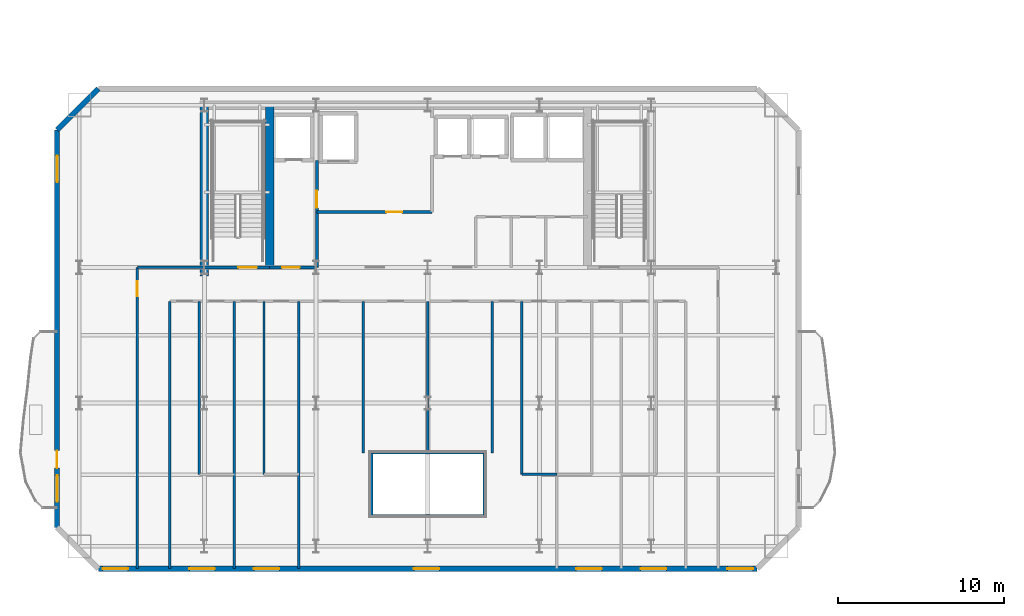
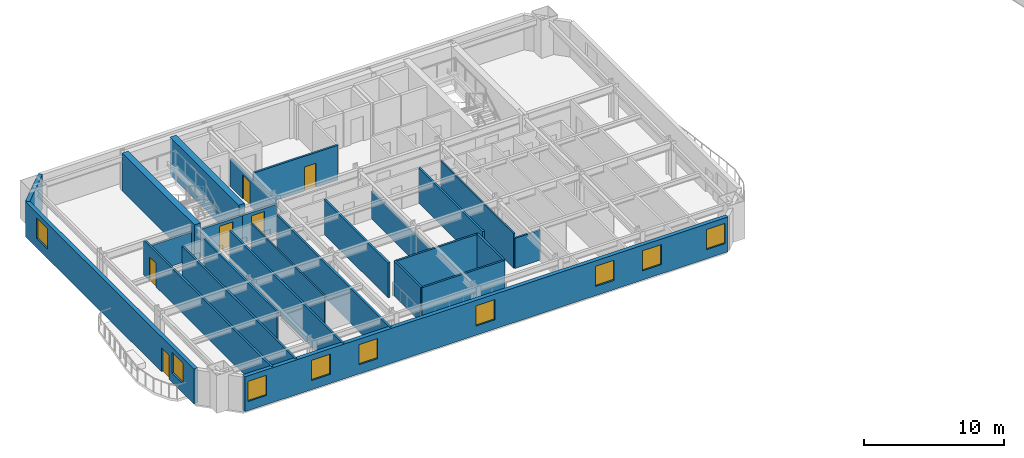
# One storey, part 5 of 14: 25 walls, 9 windows, 6 doors, 15 openings.
"""IFC4 building model written with IfcOpenShell, lengths in metres."""

from ifc_helpers import new_model, si_unit, direction, frame, frame_2d, origin, place, context, subcontext, project, spatial, rectangle, extrude, material, layer, layer_set, type_object, element, fill, save


model = new_model("IFC4")

# Units and contexts
model_context = context("Model", 3, precision=1e-05, world=origin(), true_north=direction((0.0, 1.0)))
body_context = subcontext(model_context, "Body", "Model", "MODEL_VIEW")
ifc_project = project(units=[si_unit("LENGTHUNIT", "METRE"), si_unit("AREAUNIT", "SQUARE_METRE"), si_unit("VOLUMEUNIT", "CUBIC_METRE"), si_unit("PLANEANGLEUNIT", "RADIAN"), si_unit("MASSUNIT", "GRAM", prefix="KILO")], contexts=[model_context])

# Site, building, storey
site_placement = place(None, origin())
site = spatial("IfcSite", under=ifc_project, at=site_placement, CompositionType="ELEMENT")
building_placement = place(site_placement, origin())
building = spatial("IfcBuilding", under=site, at=building_placement, Name="Haevon Station Towers", CompositionType="ELEMENT")
storey_placement = place(building_placement, frame((0.0, 0.0, 119.699951171875)))
storey = spatial("IfcBuildingStorey", under=building, at=storey_placement, Name="L32", CompositionType="ELEMENT", Elevation=119.699951171875)

# Wall, opening, door
ifc_material_1 = material(Name="Gypsum board on steel stud", Category="steel")
ifc_layer_1 = layer(ifc_material_1, 0.199951171875)
ifc_layer_set_1 = layer_set([ifc_layer_1], Name="Gypsum board on steel stud")
wall_type_1 = type_object("IfcWallType", Name="WL-COR200", PredefinedType="PARTITIONING", material=ifc_layer_set_1)
wall_1_placement = place(storey_placement, frame((24.0, 38.199951171875, 0.0), z_axis=(0.0, 0.0, 1.0), x_axis=(1.0, 0.0, 0.0)))
wall_1 = element("IfcWall", 1, at=wall_1_placement, inside=storey, type_object=wall_type_1, Name="WL-ST-ST1-L32", PredefinedType="PARTITIONING", context=body_context, shape_type="SweptSolid", body=[
    extrude(rectangle(XDim=3.949951171875, YDim=0.199951171875, at=frame_2d((1.97509765625, 0.0))), origin(), (0.0, 0.0, 1.0), 2.380126953125),
])
opening_1_placement = place(wall_1_placement, frame((2.050048828125, 0.0, 0.0)))
opening_1 = element("IfcOpeningElement", 2, at=opening_1_placement, cuts=wall_1, Name="Opening DR-ST-ST1-L32", PredefinedType="OPENING", context=body_context, shape_type="SweptSolid", body=[
    extrude(rectangle(XDim=1.1201171875, YDim=2.10009765625, at=frame_2d((0.56005859375, 1.050048828125))), frame((0.0, 0.10986328125, 0.0), z_axis=(0.0, -1.0, 0.0), x_axis=(1.0, 0.0, 0.0)), (0.0, 0.0, 1.0), 0.219970703125),
])
ifc_material_2 = material(Name="Engineered oak timber", Category="wood")
door_type_1 = type_object("IfcDoorType", Name="DR-ST-1120", OperationType="NOTDEFINED", PredefinedType="DOOR", material=ifc_material_2)
door_1_placement = place(opening_1_placement, origin())
door_1 = element("IfcDoor", 3, at=door_1_placement, inside=storey, type_object=door_type_1, Name="L32 Escape Stair ST1 Fire Door", OperationType="SINGLE_SWING_RIGHT", OverallHeight=2.10009765625, OverallWidth=1.1201171875, PredefinedType="DOOR", context=body_context, shape_type="SweptSolid", body=[
    extrude(rectangle(XDim=1.1201171875, YDim=2.10009765625, at=frame_2d((0.56005859375, 1.050048828125))), frame((0.0, 0.02490234375, 0.0), z_axis=(0.0, -1.0, 0.0), x_axis=(1.0, 0.0, 0.0)), (0.0, 0.0, 1.0), 0.050048828125),
])
fill(opening_1, door_1)

wall_2_placement = place(storey_placement, frame((30.800048828125, 38.199951171875, 0.0), z_axis=(0.0, 0.0, 1.0), x_axis=(0.0, 1.0, 0.0)))
wall_2 = element("IfcWall", 4, at=wall_2_placement, inside=storey, type_object=wall_type_1, Name="WL-T1FFL-L32-E", PredefinedType="PARTITIONING", context=body_context, shape_type="SweptSolid", body=[
    extrude(rectangle(XDim=6.449951171875, YDim=0.199951171875, at=frame_2d((3.22509765625, 0.0))), origin(), (0.0, 0.0, 1.0), 2.380126953125),
])
opening_2_placement = place(wall_2_placement, frame((3.590087890625, 0.0, 0.0)))
opening_2 = element("IfcOpeningElement", 5, at=opening_2_placement, cuts=wall_2, Name="Opening DR-T1FFL-L32-E", PredefinedType="OPENING", context=body_context, shape_type="SweptSolid", body=[
    extrude(rectangle(XDim=1.050048828125, YDim=2.10009765625, at=frame_2d((0.52490234375, 1.050048828125))), frame((0.0, 0.10986328125, 0.0), z_axis=(0.0, -1.0, 0.0), x_axis=(1.0, 0.0, 0.0)), (0.0, 0.0, 1.0), 0.219970703125),
])
door_type_2 = type_object("IfcDoorType", Name="DR-FD60-1050", OperationType="NOTDEFINED", PredefinedType="DOOR", material=ifc_material_2)
door_2_placement = place(opening_2_placement, origin())
door_2 = element("IfcDoor", 6, at=door_2_placement, inside=storey, type_object=door_type_2, Name="L32 Tower 1 Firefighting Lift Lobby Door E", OperationType="SINGLE_SWING_RIGHT", OverallHeight=2.10009765625, OverallWidth=1.050048828125, PredefinedType="DOOR", context=body_context, shape_type="SweptSolid", body=[
    extrude(rectangle(XDim=1.050048828125, YDim=2.10009765625, at=frame_2d((0.52490234375, 1.050048828125))), frame((0.0, 0.02490234375, 0.0), z_axis=(0.0, -1.0, 0.0), x_axis=(1.0, 0.0, 0.0)), (0.0, 0.0, 1.0), 0.050048828125),
])
fill(opening_2, door_2)

wall_3_placement = place(storey_placement, frame((27.949951171875, 38.199951171875, 0.0), z_axis=(0.0, 0.0, 1.0), x_axis=(1.0, 0.0, 0.0)))
wall_3 = element("IfcWall", 7, at=wall_3_placement, inside=storey, type_object=wall_type_1, Name="WL-T1FFL-L32-S", PredefinedType="PARTITIONING", context=body_context, shape_type="SweptSolid", body=[
    extrude(rectangle(XDim=2.85009765625, YDim=0.199951171875, at=frame_2d((1.425048828125, 0.0))), origin(), (0.0, 0.0, 1.0), 2.380126953125),
])
opening_3_placement = place(wall_3_placement, frame((0.75, 0.0, 0.0)))
opening_3 = element("IfcOpeningElement", 8, at=opening_3_placement, cuts=wall_3, Name="Opening DR-T1FFL-L32-S", PredefinedType="OPENING", context=body_context, shape_type="SweptSolid", body=[
    extrude(rectangle(XDim=1.050048828125, YDim=2.10009765625, at=frame_2d((0.52490234375, 1.050048828125))), frame((0.0, 0.10986328125, 0.0), z_axis=(0.0, -1.0, 0.0), x_axis=(1.0, 0.0, 0.0)), (0.0, 0.0, 1.0), 0.219970703125),
])
door_3_placement = place(opening_3_placement, origin())
door_3 = element("IfcDoor", 9, at=door_3_placement, inside=storey, type_object=door_type_2, Name="L32 Tower 1 Firefighting Lift Lobby Door S", OperationType="SINGLE_SWING_LEFT", OverallHeight=2.10009765625, OverallWidth=1.050048828125, PredefinedType="DOOR", context=body_context, shape_type="SweptSolid", body=[
    extrude(rectangle(XDim=1.050048828125, YDim=2.10009765625, at=frame_2d((0.52490234375, 1.050048828125))), frame((0.0, 0.02490234375, 0.0), z_axis=(0.0, -1.0, 0.0), x_axis=(1.0, 0.0, 0.0)), (0.0, 0.0, 1.0), 0.050048828125),
])
fill(opening_3, door_3)

# Walls
ifc_material_3 = material(Name="Concrete C60/75", Category="concrete")
ifc_layer_2 = layer(ifc_material_3, 0.5)
ifc_layer_set_2 = layer_set([ifc_layer_2], Name="Concrete C60/75")
wall_type_2 = type_object("IfcWallType", Name="WL-CR500", PredefinedType="SHEAR", material=ifc_layer_set_2)
wall_4_placement = place(storey_placement, frame((24.0, 37.679931640625, 0.0), z_axis=(0.0, 0.0, 1.0), x_axis=(0.0, 1.0, 0.0)))
element("IfcWall", 10, at=wall_4_placement, inside=storey, type_object=wall_type_2, Name="WL-T1CR-L32-W", PredefinedType="SHEAR", context=body_context, shape_type="SweptSolid", body=[
    extrude(rectangle(XDim=10.320068359375, YDim=0.5, at=frame_2d((5.16015625, 0.0))), origin(), (0.0, 0.0, 1.0), 3.300048828125),
])
wall_5_placement = place(storey_placement, frame((27.949951171875, 38.199951171875, 0.0), z_axis=(0.0, 0.0, 1.0), x_axis=(0.0, 1.0, 0.0)))
element("IfcWall", 11, at=wall_5_placement, inside=storey, type_object=wall_type_2, Name="WL-T1CR-L32-M1", PredefinedType="SHEAR", context=body_context, shape_type="SweptSolid", body=[
    extrude(rectangle(XDim=9.800048828125, YDim=0.5, at=frame_2d((4.89990234375, 0.0))), origin(), (0.0, 0.0, 1.0), 3.300048828125),
])

# Wall, openings, windows
ifc_material_4 = material(Name="Precast concrete C45/55", Category="concrete")
ifc_layer_3 = layer(ifc_material_4, 0.320068359375)
ifc_layer_set_3 = layer_set([ifc_layer_3], Name="Precast concrete C45/55")
wall_type_3 = type_object("IfcWallType", Name="WL-EXT-PIER320", PredefinedType="SOLIDWALL", material=ifc_layer_set_3)
wall_6_placement = place(storey_placement, frame((57.39990234375, 20.0, 0.0), z_axis=(0.0, 0.0, 1.0), x_axis=(-1.0, 0.0, 0.0)))
wall_6 = element("IfcWall", 12, at=wall_6_placement, inside=storey, type_object=wall_type_3, Name="WL-T1-L32-S", PredefinedType="SOLIDWALL", context=body_context, shape_type="SweptSolid", body=[
    extrude(rectangle(XDim=39.7998046875, YDim=0.320068359375, at=frame_2d((19.89990234375, 0.0))), origin(), (0.0, 0.0, 1.0), 3.030029296875),
])
opening_4_placement = place(wall_6_placement, frame((38.0, 0.0, 0.800048828125)))
opening_4 = element("IfcOpeningElement", 13, at=opening_4_placement, cuts=wall_6, Name="Opening WN-P155", PredefinedType="OPENING", context=body_context, shape_type="SweptSolid", body=[
    extrude(rectangle(XDim=1.550048828125, YDim=1.75, at=frame_2d((0.77490234375, 0.875))), frame((0.0, 0.169921875, 0.0), z_axis=(0.0, -1.0, 0.0), x_axis=(1.0, 0.0, 0.0)), (0.0, 0.0, 1.0), 0.340087890625),
])
opening_5_placement = place(wall_6_placement, frame((0.25, 0.0, 0.800048828125)))
opening_5 = element("IfcOpeningElement", 14, at=opening_5_placement, cuts=wall_6, Name="Opening WN-P155", PredefinedType="OPENING", context=body_context, shape_type="SweptSolid", body=[
    extrude(rectangle(XDim=1.550048828125, YDim=1.75, at=frame_2d((0.77490234375, 0.875))), frame((0.0, 0.169921875, 0.0), z_axis=(0.0, -1.0, 0.0), x_axis=(1.0, 0.0, 0.0)), (0.0, 0.0, 1.0), 0.340087890625),
])
opening_6_placement = place(wall_6_placement, frame((32.757568359375, 0.0, 0.800048828125)))
opening_6 = element("IfcOpeningElement", 15, at=opening_6_placement, cuts=wall_6, Name="Opening WN-P155", PredefinedType="OPENING", context=body_context, shape_type="SweptSolid", body=[
    extrude(rectangle(XDim=1.550048828125, YDim=1.75, at=frame_2d((0.77490234375, 0.875))), frame((0.0, 0.169921875, 0.0), z_axis=(0.0, -1.0, 0.0), x_axis=(1.0, 0.0, 0.0)), (0.0, 0.0, 1.0), 0.340087890625),
])
opening_7_placement = place(wall_6_placement, frame((28.862548828125, 0.0, 0.800048828125)))
opening_7 = element("IfcOpeningElement", 16, at=opening_7_placement, cuts=wall_6, Name="Opening WN-P155", PredefinedType="OPENING", context=body_context, shape_type="SweptSolid", body=[
    extrude(rectangle(XDim=1.550048828125, YDim=1.75, at=frame_2d((0.77490234375, 0.875))), frame((0.0, 0.169921875, 0.0), z_axis=(0.0, -1.0, 0.0), x_axis=(1.0, 0.0, 0.0)), (0.0, 0.0, 1.0), 0.340087890625),
])
opening_8_placement = place(wall_6_placement, frame((19.197509765625, 0.0, 0.800048828125)))
opening_8 = element("IfcOpeningElement", 17, at=opening_8_placement, cuts=wall_6, Name="Opening WN-P155", PredefinedType="OPENING", context=body_context, shape_type="SweptSolid", body=[
    extrude(rectangle(XDim=1.550048828125, YDim=1.75, at=frame_2d((0.77490234375, 0.875))), frame((0.0, 0.169921875, 0.0), z_axis=(0.0, -1.0, 0.0), x_axis=(1.0, 0.0, 0.0)), (0.0, 0.0, 1.0), 0.340087890625),
])
opening_9_placement = place(wall_6_placement, frame((9.387451171875, 0.0, 0.800048828125)))
opening_9 = element("IfcOpeningElement", 18, at=opening_9_placement, cuts=wall_6, Name="Opening WN-P155", PredefinedType="OPENING", context=body_context, shape_type="SweptSolid", body=[
    extrude(rectangle(XDim=1.550048828125, YDim=1.75, at=frame_2d((0.77490234375, 0.875))), frame((0.0, 0.169921875, 0.0), z_axis=(0.0, -1.0, 0.0), x_axis=(1.0, 0.0, 0.0)), (0.0, 0.0, 1.0), 0.340087890625),
])
opening_10_placement = place(wall_6_placement, frame((5.492431640625, 0.0, 0.800048828125)))
opening_10 = element("IfcOpeningElement", 19, at=opening_10_placement, cuts=wall_6, Name="Opening WN-P155", PredefinedType="OPENING", context=body_context, shape_type="SweptSolid", body=[
    extrude(rectangle(XDim=1.550048828125, YDim=1.75, at=frame_2d((0.77490234375, 0.875))), frame((0.0, 0.169921875, 0.0), z_axis=(0.0, -1.0, 0.0), x_axis=(1.0, 0.0, 0.0)), (0.0, 0.0, 1.0), 0.340087890625),
])
ifc_material_5 = material(Name="Low-E triple glazing in thermally broken aluminium", Category="aluminium")
window_type_1 = type_object("IfcWindowType", Name="WN-P155", PartitioningType="SINGLE_PANEL", PredefinedType="WINDOW", material=ifc_material_5)
window_1_placement = place(opening_4_placement, origin())
window_1 = element("IfcWindow", 20, at=window_1_placement, inside=storey, type_object=window_type_1, Name="WN-T1-L32-S01", OverallHeight=1.75, OverallWidth=1.550048828125, PartitioningType="SINGLE_PANEL", PredefinedType="WINDOW", context=body_context, shape_type="SweptSolid", body=[
    extrude(rectangle(XDim=1.550048828125, YDim=1.75, at=frame_2d((0.77490234375, 0.875))), frame((0.0, 0.030029296875, 0.0), z_axis=(0.0, -1.0, 0.0), x_axis=(1.0, 0.0, 0.0)), (0.0, 0.0, 1.0), 0.06005859375),
])
fill(opening_4, window_1)
window_2_placement = place(opening_5_placement, origin())
window_2 = element("IfcWindow", 21, at=window_2_placement, inside=storey, type_object=window_type_1, Name="WN-T1-L32-S02", OverallHeight=1.75, OverallWidth=1.550048828125, PartitioningType="SINGLE_PANEL", PredefinedType="WINDOW", context=body_context, shape_type="SweptSolid", body=[
    extrude(rectangle(XDim=1.550048828125, YDim=1.75, at=frame_2d((0.77490234375, 0.875))), frame((0.0, 0.030029296875, 0.0), z_axis=(0.0, -1.0, 0.0), x_axis=(1.0, 0.0, 0.0)), (0.0, 0.0, 1.0), 0.06005859375),
])
fill(opening_5, window_2)
window_3_placement = place(opening_6_placement, origin())
window_3 = element("IfcWindow", 22, at=window_3_placement, inside=storey, type_object=window_type_1, Name="WN-T1-L32-S03", OverallHeight=1.75, OverallWidth=1.550048828125, PartitioningType="SINGLE_PANEL", PredefinedType="WINDOW", context=body_context, shape_type="SweptSolid", body=[
    extrude(rectangle(XDim=1.550048828125, YDim=1.75, at=frame_2d((0.77490234375, 0.875))), frame((0.0, 0.030029296875, 0.0), z_axis=(0.0, -1.0, 0.0), x_axis=(1.0, 0.0, 0.0)), (0.0, 0.0, 1.0), 0.06005859375),
])
fill(opening_6, window_3)
window_4_placement = place(opening_7_placement, origin())
window_4 = element("IfcWindow", 23, at=window_4_placement, inside=storey, type_object=window_type_1, Name="WN-T1-L32-S04", OverallHeight=1.75, OverallWidth=1.550048828125, PartitioningType="SINGLE_PANEL", PredefinedType="WINDOW", context=body_context, shape_type="SweptSolid", body=[
    extrude(rectangle(XDim=1.550048828125, YDim=1.75, at=frame_2d((0.77490234375, 0.875))), frame((0.0, 0.030029296875, 0.0), z_axis=(0.0, -1.0, 0.0), x_axis=(1.0, 0.0, 0.0)), (0.0, 0.0, 1.0), 0.06005859375),
])
fill(opening_7, window_4)
window_5_placement = place(opening_8_placement, origin())
window_5 = element("IfcWindow", 24, at=window_5_placement, inside=storey, type_object=window_type_1, Name="WN-T1-L32-S05", OverallHeight=1.75, OverallWidth=1.550048828125, PartitioningType="SINGLE_PANEL", PredefinedType="WINDOW", context=body_context, shape_type="SweptSolid", body=[
    extrude(rectangle(XDim=1.550048828125, YDim=1.75, at=frame_2d((0.77490234375, 0.875))), frame((0.0, 0.030029296875, 0.0), z_axis=(0.0, -1.0, 0.0), x_axis=(1.0, 0.0, 0.0)), (0.0, 0.0, 1.0), 0.06005859375),
])
fill(opening_8, window_5)
window_6_placement = place(opening_9_placement, origin())
window_6 = element("IfcWindow", 25, at=window_6_placement, inside=storey, type_object=window_type_1, Name="WN-T1-L32-S06", OverallHeight=1.75, OverallWidth=1.550048828125, PartitioningType="SINGLE_PANEL", PredefinedType="WINDOW", context=body_context, shape_type="SweptSolid", body=[
    extrude(rectangle(XDim=1.550048828125, YDim=1.75, at=frame_2d((0.77490234375, 0.875))), frame((0.0, 0.030029296875, 0.0), z_axis=(0.0, -1.0, 0.0), x_axis=(1.0, 0.0, 0.0)), (0.0, 0.0, 1.0), 0.06005859375),
])
fill(opening_9, window_6)
window_7_placement = place(opening_10_placement, origin())
window_7 = element("IfcWindow", 26, at=window_7_placement, inside=storey, type_object=window_type_1, Name="WN-T1-L32-S07", OverallHeight=1.75, OverallWidth=1.550048828125, PartitioningType="SINGLE_PANEL", PredefinedType="WINDOW", context=body_context, shape_type="SweptSolid", body=[
    extrude(rectangle(XDim=1.550048828125, YDim=1.75, at=frame_2d((0.77490234375, 0.875))), frame((0.0, 0.030029296875, 0.0), z_axis=(0.0, -1.0, 0.0), x_axis=(1.0, 0.0, 0.0)), (0.0, 0.0, 1.0), 0.06005859375),
])
fill(opening_10, window_7)

# Wall, openings, door, windows
wall_7_placement = place(storey_placement, frame((15.10009765625, 22.5, 0.0), z_axis=(0.0, 0.0, 1.0), x_axis=(0.0, 1.0, 0.0)))
wall_7 = element("IfcWall", 27, at=wall_7_placement, inside=storey, type_object=wall_type_3, Name="WL-T1-L32-W", PredefinedType="SOLIDWALL", context=body_context, shape_type="SweptSolid", body=[
    extrude(rectangle(XDim=24.0, YDim=0.320068359375, at=frame_2d((12.0, 0.0))), origin(), (0.0, 0.0, 1.0), 3.030029296875),
])
opening_11_placement = place(wall_7_placement, frame((3.574951171875, 0.0, 0.0)))
opening_11 = element("IfcOpeningElement", 28, at=opening_11_placement, cuts=wall_7, Name="Opening DR-T1-SCAL-L32-W", PredefinedType="OPENING", context=body_context, shape_type="SweptSolid", body=[
    extrude(rectangle(XDim=1.050048828125, YDim=2.10009765625, at=frame_2d((0.52490234375, 1.050048828125))), frame((0.0, 0.169921875, 0.0), z_axis=(0.0, -1.0, 0.0), x_axis=(1.0, 0.0, 0.0)), (0.0, 0.0, 1.0), 0.340087890625),
])
opening_12_placement = place(wall_7_placement, frame((1.54296875, 0.0, 0.800048828125)))
opening_12 = element("IfcOpeningElement", 29, at=opening_12_placement, cuts=wall_7, Name="Opening WN-END160", PredefinedType="OPENING", context=body_context, shape_type="SweptSolid", body=[
    extrude(rectangle(XDim=1.60009765625, YDim=1.800048828125, at=frame_2d((0.800048828125, 0.89990234375))), frame((0.0, 0.169921875, 0.0), z_axis=(0.0, -1.0, 0.0), x_axis=(1.0, 0.0, 0.0)), (0.0, 0.0, 1.0), 0.340087890625),
])
opening_13_placement = place(wall_7_placement, frame((20.857177734375, 0.0, 0.800048828125)))
opening_13 = element("IfcOpeningElement", 30, at=opening_13_placement, cuts=wall_7, Name="Opening WN-END160", PredefinedType="OPENING", context=body_context, shape_type="SweptSolid", body=[
    extrude(rectangle(XDim=1.60009765625, YDim=1.800048828125, at=frame_2d((0.800048828125, 0.89990234375))), frame((0.0, 0.169921875, 0.0), z_axis=(0.0, -1.0, 0.0), x_axis=(1.0, 0.0, 0.0)), (0.0, 0.0, 1.0), 0.340087890625),
])
ifc_material_6 = material(Name="Thermally broken anodised aluminium and laminated safety glass", Category="aluminium")
door_type_3 = type_object("IfcDoorType", Name="DR-BALC-1050", OperationType="NOTDEFINED", PredefinedType="DOOR", material=ifc_material_6)
door_4_placement = place(opening_11_placement, origin())
door_4 = element("IfcDoor", 31, at=door_4_placement, inside=storey, type_object=door_type_3, Name="Tower 1 L32 West Scalloped Balcony Door", OperationType="SINGLE_SWING_LEFT", OverallHeight=2.10009765625, OverallWidth=1.050048828125, PredefinedType="DOOR", context=body_context, shape_type="SweptSolid", body=[
    extrude(rectangle(XDim=1.050048828125, YDim=2.10009765625, at=frame_2d((0.52490234375, 1.050048828125))), frame((0.0, 0.02490234375, 0.0), z_axis=(0.0, -1.0, 0.0), x_axis=(1.0, 0.0, 0.0)), (0.0, 0.0, 1.0), 0.050048828125),
])
fill(opening_11, door_4)
window_type_2 = type_object("IfcWindowType", Name="WN-END160", PartitioningType="SINGLE_PANEL", PredefinedType="WINDOW", material=ifc_material_5)
window_8_placement = place(opening_12_placement, origin())
window_8 = element("IfcWindow", 32, at=window_8_placement, inside=storey, type_object=window_type_2, Name="WN-T1-L32-W01", OverallHeight=1.800048828125, OverallWidth=1.60009765625, PartitioningType="SINGLE_PANEL", PredefinedType="WINDOW", context=body_context, shape_type="SweptSolid", body=[
    extrude(rectangle(XDim=1.60009765625, YDim=1.800048828125, at=frame_2d((0.800048828125, 0.89990234375))), frame((0.0, 0.030029296875, 0.0), z_axis=(0.0, -1.0, 0.0), x_axis=(1.0, 0.0, 0.0)), (0.0, 0.0, 1.0), 0.06005859375),
])
fill(opening_12, window_8)
window_9_placement = place(opening_13_placement, origin())
window_9 = element("IfcWindow", 33, at=window_9_placement, inside=storey, type_object=window_type_2, Name="WN-T1-L32-W02", OverallHeight=1.800048828125, OverallWidth=1.60009765625, PartitioningType="SINGLE_PANEL", PredefinedType="WINDOW", context=body_context, shape_type="SweptSolid", body=[
    extrude(rectangle(XDim=1.60009765625, YDim=1.800048828125, at=frame_2d((0.800048828125, 0.89990234375))), frame((0.0, 0.030029296875, 0.0), z_axis=(0.0, -1.0, 0.0), x_axis=(1.0, 0.0, 0.0)), (0.0, 0.0, 1.0), 0.06005859375),
])
fill(opening_13, window_9)

# Walls
wall_8_placement = place(storey_placement, frame((15.10009765625, 46.5, 0.0), z_axis=(0.0, 0.0, 1.0), x_axis=(0.707106781187, 0.707106781187, 0.0)))
element("IfcWall", 34, at=wall_8_placement, inside=storey, type_object=wall_type_3, Name="WL-T1-L32-NWC", PredefinedType="SOLIDWALL", context=body_context, shape_type="SweptSolid", body=[
    extrude(rectangle(XDim=3.53564453125, YDim=0.320068359375, at=frame_2d((1.767822265625, 0.0))), origin(), (0.0, 0.0, 1.0), 3.030029296875),
])
ifc_layer_4 = layer(ifc_material_1, 0.125)
ifc_layer_set_4 = layer_set([ifc_layer_4], Name="Gypsum board on steel stud")
wall_type_4 = type_object("IfcWallType", Name="WL-PRT125", PredefinedType="PARTITIONING", material=ifc_layer_set_4)
for number, where, z_axis, x_axis, name in (
    (35, (27.594970703125, 25.697021484375, 0.0), (0.0, 0.0, 1.0), (0.0, 1.0, 0.0), "WL-T1PT-L32-15"),
    (36, (43.175048828125, 25.697021484375, 0.0), (0.0, 0.0, 1.0), (0.0, 1.0, 0.0), "WL-T1PT-L32-23"),
):
    element("IfcWall", number, at=place(storey_placement, frame(where, z_axis=z_axis, x_axis=x_axis)), inside=storey, type_object=wall_type_4, Name=name, PredefinedType="PARTITIONING", context=body_context, shape_type="SweptSolid", body=[
        extrude(rectangle(XDim=10.452880859375, YDim=0.125, at=frame_2d((5.2265625, 0.0))), origin(), (0.0, 0.0, 1.0), 3.030029296875),
    ])
ifc_layer_5 = layer(ifc_material_1, 0.139892578125)
ifc_layer_set_5 = layer_set([ifc_layer_5], Name="Gypsum board on steel stud")
wall_type_5 = type_object("IfcWallType", Name="WL-PRT140", PredefinedType="PARTITIONING", material=ifc_layer_set_5)
wall_9_placement = place(storey_placement, frame((23.699951171875, 25.697021484375, 0.0), z_axis=(0.0, 0.0, 1.0), x_axis=(0.0, 1.0, 0.0)))
element("IfcWall", 37, at=wall_9_placement, inside=storey, type_object=wall_type_5, Name="WL-T1PT-L32-12", PredefinedType="PARTITIONING", context=body_context, shape_type="SweptSolid", body=[
    extrude(rectangle(XDim=10.452880859375, YDim=0.139892578125, at=frame_2d((5.2265625, 0.0))), origin(), (0.0, 0.0, 1.0), 3.030029296875),
])
wall_10_placement = place(storey_placement, frame((43.175048828125, 25.697021484375, 0.0), z_axis=(0.0, 0.0, 1.0), x_axis=(1.0, 0.0, 0.0)))
element("IfcWall", 38, at=wall_10_placement, inside=storey, type_object=wall_type_5, Name="WL-T1PT-L32-22", PredefinedType="PARTITIONING", context=body_context, shape_type="SweptSolid", body=[
    extrude(rectangle(XDim=2.114990234375, YDim=0.139892578125, at=frame_2d((1.0576171875, 0.0))), origin(), (0.0, 0.0, 1.0), 2.630126953125),
])

# Wall, opening, door
ifc_layer_6 = layer(ifc_material_1, 0.159912109375)
ifc_layer_set_6 = layer_set([ifc_layer_6], Name="Gypsum board on steel stud")
wall_type_6 = type_object("IfcWallType", Name="WL-PRT160", PredefinedType="PARTITIONING", material=ifc_layer_set_6)
wall_11_placement = place(storey_placement, frame((30.800048828125, 41.550048828125, 0.0), z_axis=(0.0, 0.0, 1.0), x_axis=(1.0, 0.0, 0.0)))
wall_11 = element("IfcWall", 39, at=wall_11_placement, inside=storey, type_object=wall_type_6, Name="WL-T1CW-L32-01", PredefinedType="PARTITIONING", context=body_context, shape_type="SweptSolid", body=[
    extrude(rectangle(XDim=6.949951171875, YDim=0.159912109375, at=frame_2d((3.47509765625, 0.0))), origin(), (0.0, 0.0, 1.0), 3.030029296875),
])
opening_14_placement = place(wall_11_placement, frame((4.199951171875, 0.0, 0.0)))
opening_14 = element("IfcOpeningElement", 40, at=opening_14_placement, cuts=wall_11, Name="Opening DR-WL-T1CW-L32-01-1", PredefinedType="OPENING", context=body_context, shape_type="SweptSolid", body=[
    extrude(rectangle(XDim=0.949951171875, YDim=2.10009765625, at=frame_2d((0.47509765625, 1.050048828125))), frame((0.0, 0.08984375, 0.0), z_axis=(0.0, -1.0, 0.0), x_axis=(1.0, 0.0, 0.0)), (0.0, 0.0, 1.0), 0.179931640625),
])
door_type_4 = type_object("IfcDoorType", Name="DR-FD60-950", OperationType="NOTDEFINED", PredefinedType="DOOR", material=ifc_material_2)
door_5_placement = place(opening_14_placement, origin())
door_5 = element("IfcDoor", 41, at=door_5_placement, inside=storey, type_object=door_type_4, Name="L32 Tower 1 Core Room Door 1-1", OperationType="SINGLE_SWING_RIGHT", OverallHeight=2.10009765625, OverallWidth=0.949951171875, PredefinedType="DOOR", context=body_context, shape_type="SweptSolid", body=[
    extrude(rectangle(XDim=0.949951171875, YDim=2.10009765625, at=frame_2d((0.47509765625, 1.050048828125))), frame((0.0, 0.02490234375, 0.0), z_axis=(0.0, -1.0, 0.0), x_axis=(1.0, 0.0, 0.0)), (0.0, 0.0, 1.0), 0.050048828125),
])
fill(opening_14, door_5)

# Walls
wall_12_placement = place(storey_placement, frame((21.919921875, 20.0, 0.0), z_axis=(0.0, 0.0, 1.0), x_axis=(0.0, 1.0, 0.0)))
element("IfcWall", 42, at=wall_12_placement, inside=storey, type_object=wall_type_6, Name="WL-T1PT-L32-01", PredefinedType="PARTITIONING", context=body_context, shape_type="SweptSolid", body=[
    extrude(rectangle(XDim=16.14990234375, YDim=0.159912109375, at=frame_2d((8.074951171875, 0.0))), origin(), (0.0, 0.0, 1.0), 3.030029296875),
])
wall_13_placement = place(storey_placement, frame((19.949951171875, 38.199951171875, 0.0), z_axis=(0.0, 0.0, 1.0), x_axis=(1.0, 0.0, 0.0)))
element("IfcWall", 43, at=wall_13_placement, inside=storey, type_object=wall_type_6, Name="WL-T1PT-L32-03", PredefinedType="PARTITIONING", context=body_context, shape_type="SweptSolid", body=[
    extrude(rectangle(XDim=4.050048828125, YDim=0.159912109375, at=frame_2d((2.02490234375, 0.0))), origin(), (0.0, 0.0, 1.0), 2.380126953125),
])

# Wall, opening, door
wall_14_placement = place(storey_placement, frame((19.949951171875, 20.0, 0.0), z_axis=(0.0, 0.0, 1.0), x_axis=(0.0, 1.0, 0.0)))
wall_14 = element("IfcWall", 44, at=wall_14_placement, inside=storey, type_object=wall_type_6, Name="WL-T1PT-L32-05", PredefinedType="PARTITIONING", context=body_context, shape_type="SweptSolid", body=[
    extrude(rectangle(XDim=18.199951171875, YDim=0.159912109375, at=frame_2d((9.10009765625, 0.0))), origin(), (0.0, 0.0, 1.0), 3.030029296875),
])
opening_15_placement = place(wall_14_placement, frame((16.469970703125, 0.0, 0.0)))
opening_15 = element("IfcOpeningElement", 45, at=opening_15_placement, cuts=wall_14, Name="Opening DR-WL-T1PT-L32-05-01", PredefinedType="OPENING", context=body_context, shape_type="SweptSolid", body=[
    extrude(rectangle(XDim=0.89990234375, YDim=2.050048828125, at=frame_2d((0.449951171875, 1.02490234375))), frame((0.0, 0.08984375, 0.0), z_axis=(0.0, -1.0, 0.0), x_axis=(1.0, 0.0, 0.0)), (0.0, 0.0, 1.0), 0.179931640625),
])
door_type_5 = type_object("IfcDoorType", Name="DR-INT-900", OperationType="NOTDEFINED", PredefinedType="DOOR", material=ifc_material_2)
door_6_placement = place(opening_15_placement, origin())
door_6 = element("IfcDoor", 46, at=door_6_placement, inside=storey, type_object=door_type_5, Name="L32 Tower 1 Room Door 5-1", OperationType="SINGLE_SWING_RIGHT", OverallHeight=2.050048828125, OverallWidth=0.89990234375, PredefinedType="DOOR", context=body_context, shape_type="SweptSolid", body=[
    extrude(rectangle(XDim=0.89990234375, YDim=2.050048828125, at=frame_2d((0.449951171875, 1.02490234375))), frame((0.0, 0.02490234375, 0.0), z_axis=(0.0, -1.0, 0.0), x_axis=(1.0, 0.0, 0.0)), (0.0, 0.0, 1.0), 0.050048828125),
])
fill(opening_15, door_6)

# Walls
for number, where, z_axis, x_axis, name in (
    (47, (34.10009765625, 23.199951171875, 0.0), (0.0, 0.0, 1.0), (1.0, 0.0, 0.0), "WL-T1PT-L32-07"),
    (48, (34.10009765625, 27.0, 0.0), (0.0, 0.0, 1.0), (1.0, 0.0, 0.0), "WL-T1PT-L32-08"),
):
    element("IfcWall", number, at=place(storey_placement, frame(where, z_axis=z_axis, x_axis=x_axis)), inside=storey, type_object=wall_type_6, Name=name, PredefinedType="PARTITIONING", context=body_context, shape_type="SweptSolid", body=[
        extrude(rectangle(XDim=6.7998046875, YDim=0.159912109375, at=frame_2d((3.39990234375, 0.0))), origin(), (0.0, 0.0, 1.0), 3.030029296875),
    ])
for number, where, z_axis, x_axis, name in (
    (49, (34.10009765625, 23.199951171875, 0.0), (0.0, 0.0, 1.0), (0.0, 1.0, 0.0), "WL-T1PT-L32-09"),
    (50, (40.89990234375, 23.199951171875, 0.0), (0.0, 0.0, 1.0), (0.0, 1.0, 0.0), "WL-T1PT-L32-10"),
):
    element("IfcWall", number, at=place(storey_placement, frame(where, z_axis=z_axis, x_axis=x_axis)), inside=storey, type_object=wall_type_6, Name=name, PredefinedType="PARTITIONING", context=body_context, shape_type="SweptSolid", body=[
        extrude(rectangle(XDim=3.800048828125, YDim=0.159912109375, at=frame_2d((1.89990234375, 0.0))), origin(), (0.0, 0.0, 1.0), 3.030029296875),
    ])
for number, where, z_axis, x_axis, name in (
    (51, (25.81494140625, 20.0, 0.0), (0.0, 0.0, 1.0), (0.0, 1.0, 0.0), "WL-T1PT-L32-13"),
    (52, (29.7099609375, 20.0, 0.0), (0.0, 0.0, 1.0), (0.0, 1.0, 0.0), "WL-T1PT-L32-16"),
):
    element("IfcWall", number, at=place(storey_placement, frame(where, z_axis=z_axis, x_axis=x_axis)), inside=storey, type_object=wall_type_6, Name=name, PredefinedType="PARTITIONING", context=body_context, shape_type="SweptSolid", body=[
        extrude(rectangle(XDim=16.14990234375, YDim=0.159912109375, at=frame_2d((8.074951171875, 0.0))), origin(), (0.0, 0.0, 1.0), 3.030029296875),
    ])
wall_15_placement = place(storey_placement, frame((33.60498046875, 27.0, 0.0), z_axis=(0.0, 0.0, 1.0), x_axis=(0.0, 1.0, 0.0)))
element("IfcWall", 53, at=wall_15_placement, inside=storey, type_object=wall_type_6, Name="WL-T1PT-L32-17", PredefinedType="PARTITIONING", context=body_context, shape_type="SweptSolid", body=[
    extrude(rectangle(XDim=9.14990234375, YDim=0.159912109375, at=frame_2d((4.574951171875, 0.0))), origin(), (0.0, 0.0, 1.0), 3.030029296875),
])
wall_16_placement = place(storey_placement, frame((37.5, 27.0, 0.0), z_axis=(0.0, 0.0, 1.0), x_axis=(0.0, 1.0, 0.0)))
element("IfcWall", 54, at=wall_16_placement, inside=storey, type_object=wall_type_6, Name="WL-T1PT-L32-18", PredefinedType="PARTITIONING", context=body_context, shape_type="SweptSolid", body=[
    extrude(rectangle(XDim=9.14990234375, YDim=0.159912109375, at=frame_2d((4.574951171875, 0.0))), origin(), (0.0, 0.0, 1.0), 2.380126953125),
])
wall_17_placement = place(storey_placement, frame((41.39501953125, 27.0, 0.0), z_axis=(0.0, 0.0, 1.0), x_axis=(0.0, 1.0, 0.0)))
element("IfcWall", 55, at=wall_17_placement, inside=storey, type_object=wall_type_6, Name="WL-T1PT-L32-20", PredefinedType="PARTITIONING", context=body_context, shape_type="SweptSolid", body=[
    extrude(rectangle(XDim=9.14990234375, YDim=0.159912109375, at=frame_2d((4.574951171875, 0.0))), origin(), (0.0, 0.0, 1.0), 3.030029296875),
])

save(model, "model.ifc")
